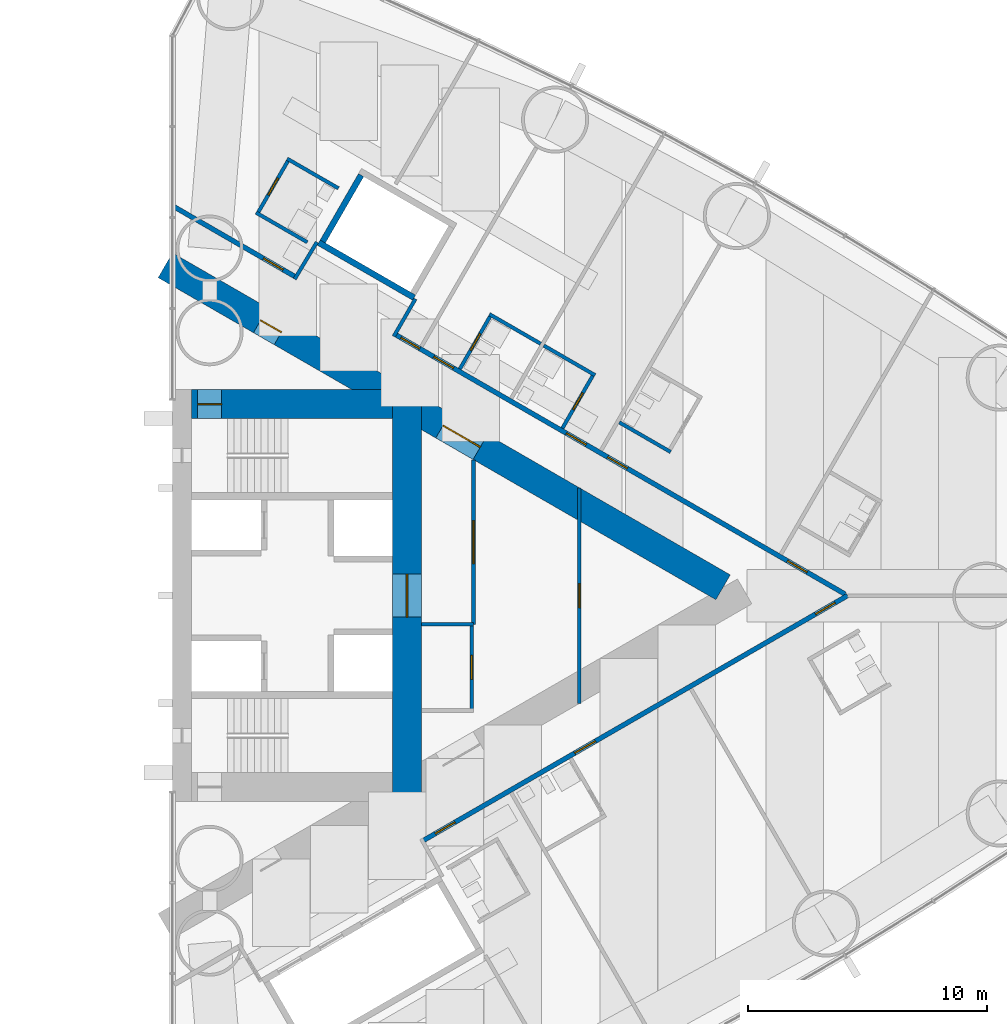
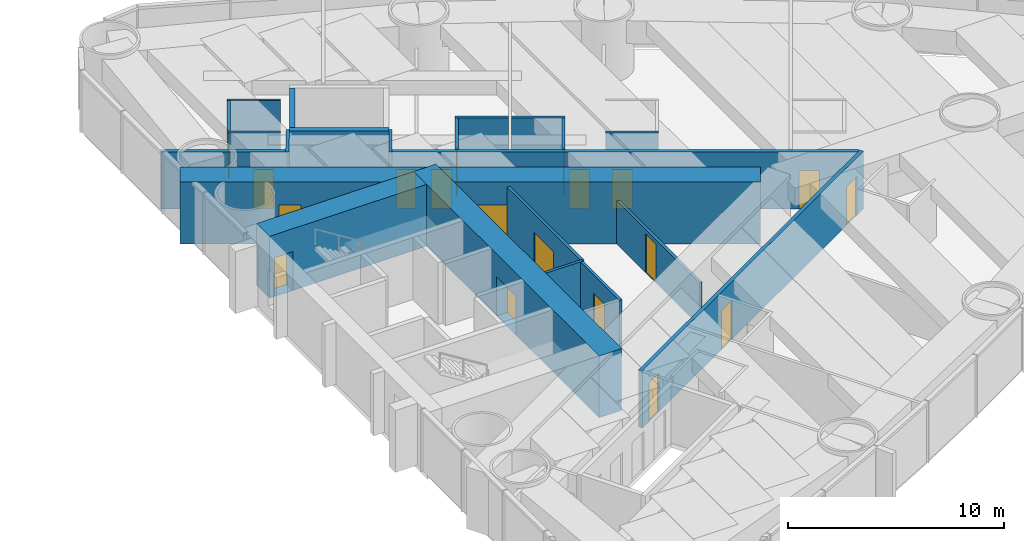
# One storey, part 14 of 18: 22 walls, 19 doors, 19 openings.
"""IFC4 building model written with IfcOpenShell, lengths in metres."""

import ifcopenshell
import ifcopenshell.guid

model = None  # the IFC model being written
_history = None  # IfcOwnerHistory: only IFC2X3 demands one
_inside = {}  # id of a spatial element -> (the spatial element, [elements in it])
_under = {}  # id of a project, library or spatial element -> (it, [spatial elements below it])
_declared = {}  # id of a project -> (the project, [libraries it declares])
_typed = {}  # id of a type object -> (the type object, [elements of that type])
_made_of = {}  # id of a material, layer set ... -> (it, [elements and type objects made of it])


def new_model(schema):
    """Start an empty IFC model of exactly this schema.

    Asked for "IFC4X3", IfcOpenShell would pick the latest addendum, in which some entities
    have other attributes; the version numbers below select the first issue.
    IFC2X3 requires an IfcOwnerHistory on every rooted entity: one is made here for all.
    """
    global model, _history
    if schema == "IFC4X3":
        model = ifcopenshell.file(schema_version=(4, 3, 0, 0))
    else:
        model = ifcopenshell.file(schema=schema)
    _inside.clear()
    _under.clear()
    _declared.clear()
    _typed.clear()
    _made_of.clear()
    _history = None
    if model.schema == "IFC2X3":
        org = make("IfcOrganization", Name="unknown")
        user = make(
            "IfcPersonAndOrganization",
            ThePerson=make("IfcPerson", FamilyName="unknown"),
            TheOrganization=org,
        )
        app = make(
            "IfcApplication",
            ApplicationDeveloper=org,
            Version="unknown",
            ApplicationFullName="unknown",
            ApplicationIdentifier="unknown",
        )
        _history = make(
            "IfcOwnerHistory",
            OwningUser=user,
            OwningApplication=app,
            ChangeAction="ADDED",
            CreationDate=0,
        )
    return model


def make(cls, **values):
    """One entity of the class cls with the attributes given. An attribute that is None is left unset."""
    return model.create_entity(
        cls, **{name: value for name, value in values.items() if value is not None}
    )


def rooted(cls, **values):
    """An entity with a GlobalId (a new one), such as an element, a storey or a relation."""
    return make(cls, GlobalId=ifcopenshell.guid.new(), OwnerHistory=_history, **values)


def si_unit(unit_type, name, prefix=None):
    """IfcSIUnit, for example si_unit("LENGTHUNIT", "METRE", prefix="MILLI")."""
    return make("IfcSIUnit", UnitType=unit_type, Prefix=prefix, Name=name)


def assignment(units):
    """IfcUnitAssignment: the units of a project."""
    return None if units is None else make("IfcUnitAssignment", Units=units)


def point(xyz):
    """IfcCartesianPoint."""
    return None if xyz is None else make("IfcCartesianPoint", Coordinates=xyz)


def direction(xyz):
    """IfcDirection."""
    return None if xyz is None else make("IfcDirection", DirectionRatios=xyz)


def frame(location, z_axis=None, x_axis=None):
    """IfcAxis2Placement3D, a coordinate frame: its origin and axes. An axis left out is left unset."""
    return make(
        "IfcAxis2Placement3D",
        Location=point(location),
        Axis=direction(z_axis),
        RefDirection=direction(x_axis),
    )


def frame_2d(location, x_axis=None):
    """IfcAxis2Placement2D, a coordinate frame in the plane: its origin and x axis."""
    return make(
        "IfcAxis2Placement2D", Location=point(location), RefDirection=direction(x_axis)
    )


def origin():
    """The frame at (0, 0, 0) with its axes left unset."""
    return frame((0.0, 0.0, 0.0))


def place(relative_to, where):
    """IfcLocalPlacement: puts the frame where relative to a parent placement (None: the world)."""
    return make(
        "IfcLocalPlacement", PlacementRelTo=relative_to, RelativePlacement=where
    )


def context(
    kind, dimensions, precision=None, world=None, true_north=None, identifier=None
):
    """IfcGeometricRepresentationContext, for example the 3D "Model" context."""
    return make(
        "IfcGeometricRepresentationContext",
        ContextIdentifier=identifier,
        ContextType=kind,
        CoordinateSpaceDimension=dimensions,
        Precision=precision,
        WorldCoordinateSystem=world,
        TrueNorth=true_north,
    )


def subcontext(parent, identifier, kind, view, scale=None):
    """IfcGeometricRepresentationSubContext, for example "Body" below "Model"."""
    return make(
        "IfcGeometricRepresentationSubContext",
        ContextIdentifier=identifier,
        ContextType=kind,
        ParentContext=parent,
        TargetScale=scale,
        TargetView=view,
    )


def project(units=None, contexts=None):
    """IfcProject with its units and contexts."""
    return rooted(
        "IfcProject",
        Name="project",
        RepresentationContexts=contexts,
        UnitsInContext=assignment(units),
    )


def spatial(cls, under=None, at=None, **own):
    """A site, building, storey or space (cls), placed at a placement, below another one or the project."""
    s = rooted(cls, ObjectPlacement=at, **own)
    if under is not None:
        _under.setdefault(under.id(), (under, []))[1].append(s)
    return s


def profile(cls, at=None, kind="AREA", **sizes):
    """A parametric profile (cls). Its sizes go by their IFC names, for example OverallWidth=200.0."""
    return make(cls, ProfileType=kind, Position=at, **sizes)


def rectangle(**sizes):
    """IfcRectangleProfileDef."""
    return profile("IfcRectangleProfileDef", **sizes)


def extrude(swept, where, along, depth):
    """IfcExtrudedAreaSolid: the profile swept, set in the frame where, extruded along a direction by depth."""
    return make(
        "IfcExtrudedAreaSolid",
        SweptArea=swept,
        Position=where,
        ExtrudedDirection=direction(along),
        Depth=depth,
    )


def shape(context_of_items, identifier, shape_type, items):
    """IfcShapeRepresentation: the items that make up one representation, for example the "Body"."""
    return make(
        "IfcShapeRepresentation",
        ContextOfItems=context_of_items,
        RepresentationIdentifier=identifier,
        RepresentationType=shape_type,
        Items=items,
    )


def material(Name=None, Category=None):
    """IfcMaterial."""
    return make("IfcMaterial", Name=Name, Category=Category)


def layer(
    of_material, thickness, ventilated=None, Name=None, Category=None, Priority=None
):
    """IfcMaterialLayer: one layer of a wall or slab, of a material (None: an air gap)."""
    return make(
        "IfcMaterialLayer",
        Material=of_material,
        LayerThickness=thickness,
        IsVentilated=ventilated,
        Name=Name,
        Category=Category,
        Priority=Priority,
    )


def layer_set(layers, Name=None):
    """IfcMaterialLayerSet."""
    return make("IfcMaterialLayerSet", MaterialLayers=layers, LayerSetName=Name)


def made_of(thing, what):
    """Note that an element or type object is made of a material, layer set ...; save() writes the relation."""
    if what is not None:
        _made_of.setdefault(what.id(), (what, []))[1].append(thing)
    return thing


def type_object(cls, material=None, **own):
    """A type object (cls), such as IfcWallType, which elements share."""
    return made_of(rooted(cls, **own), material)


def element(
    cls,
    number,
    at=None,
    inside=None,
    cuts=None,
    type_object=None,
    material=None,
    context=None,
    identifier="Body",
    shape_type=None,
    held_by="IfcProductDefinitionShape",
    body=None,
    shapes=None,
    **own,
):
    """One element of the class cls, such as IfcWall. Its Tag is "e" and its number.

    at: its placement. inside: the storey or other place that contains it. cuts: it is an
    opening in that element (IfcRelVoidsElement). A single representation is given by context,
    identifier, shape_type and body (its items); several are given by shapes. held_by: the class
    of the entity that holds the representations. save() writes the other relations.
    """
    e = rooted(cls, Tag="e%d" % number, ObjectPlacement=at, **own)
    if body is not None:
        shapes = [shape(context, identifier, shape_type, body)]
    if shapes is not None:
        e.Representation = make(held_by, Representations=shapes)
    if inside is not None:
        _inside.setdefault(inside.id(), (inside, []))[1].append(e)
    if cuts is not None:
        rooted(
            "IfcRelVoidsElement", RelatingBuildingElement=cuts, RelatedOpeningElement=e
        )
    if type_object is not None:
        _typed.setdefault(type_object.id(), (type_object, []))[1].append(e)
    return made_of(e, material)


def fill(opening, filler):
    """IfcRelFillsElement: the door or window that sits in an opening."""
    return rooted(
        "IfcRelFillsElement",
        RelatingOpeningElement=opening,
        RelatedBuildingElement=filler,
    )


def aggregate(whole, parts):
    """IfcRelAggregates: a whole, such as a stair, and the parts it consists of."""
    return rooted("IfcRelAggregates", RelatingObject=whole, RelatedObjects=parts)


def save(model, path):
    """Write the relations noted so far, then the file.

    IfcRelAggregates (storeys below a building ...), IfcRelContainedInSpatialStructure (elements
    in a storey), IfcRelDefinesByType, IfcRelAssociatesMaterial and IfcRelDeclares: one each for
    every whole, place, type object, material and project.
    """
    for whole, parts in _under.values():
        aggregate(whole, parts)
    for where, things in _inside.values():
        rooted(
            "IfcRelContainedInSpatialStructure",
            RelatedElements=things,
            RelatingStructure=where,
        )
    for kind, things in _typed.values():
        rooted("IfcRelDefinesByType", RelatedObjects=things, RelatingType=kind)
    for what, things in _made_of.values():
        rooted("IfcRelAssociatesMaterial", RelatedObjects=things, RelatingMaterial=what)
    for by, libraries in _declared.values():
        rooted("IfcRelDeclares", RelatingContext=by, RelatedDefinitions=libraries)
    model.write(path)


model = new_model("IFC4")

# Units and contexts
model_context = context("Model", 3, precision=1e-05, world=origin(), true_north=direction((0.0, 1.0)))
body_context = subcontext(model_context, "Body", "Model", "MODEL_VIEW")
ifc_project = project(units=[si_unit("LENGTHUNIT", "METRE"), si_unit("AREAUNIT", "SQUARE_METRE"), si_unit("VOLUMEUNIT", "CUBIC_METRE"), si_unit("PLANEANGLEUNIT", "RADIAN"), si_unit("MASSUNIT", "GRAM", prefix="KILO")], contexts=[model_context])

# Site, building, storey
site_placement = place(None, origin())
site = spatial("IfcSite", under=ifc_project, at=site_placement, CompositionType="ELEMENT")
building_placement = place(site_placement, origin())
building = spatial("IfcBuilding", under=site, at=building_placement, Name="Lancet Gate Hotel", CompositionType="ELEMENT")
storey_placement = place(building_placement, frame((0.0, 0.0, 46.0)))
storey = spatial("IfcBuildingStorey", under=building, at=storey_placement, Name="L11", CompositionType="ELEMENT", Elevation=46.0)

# Walls
ifc_material_1 = material(Name="Moisture resistant board partition")
ifc_layer_1 = layer(ifc_material_1, 0.14990234375)
ifc_layer_set_1 = layer_set([ifc_layer_1], Name="Bathroom wall 150")
wall_type_1 = type_object("IfcWallType", Name="Bathroom wall 150", PredefinedType="PARTITIONING", material=ifc_layer_set_1)
wall_1_placement = place(storey_placement, frame((46.16796875, 7.23681640625, 0.0), z_axis=(0.0, 0.0, 1.0), x_axis=(0.866006523861, -0.500032699561, 0.0)))
element("IfcWall", 1, at=wall_1_placement, inside=storey, type_object=wall_type_1, Name="T2 bathroom wall 150 L11", PredefinedType="PARTITIONING", context=body_context, shape_type="SweptSolid", body=[
    extrude(rectangle(XDim=2.474853515625, YDim=0.14990234375, at=frame_2d((1.2373046875, 0.0))), origin(), (0.0, 0.0, 1.0), 3.25),
])
wall_2_placement = place(storey_placement, frame((43.01220703125, 10.4443359375, 0.0), z_axis=(0.0, 0.0, 1.0), x_axis=(0.866031185235, -0.4999899861, 0.0)))
element("IfcWall", 2, at=wall_2_placement, inside=storey, type_object=wall_type_1, Name="T2 bathroom wall 150 L11", PredefinedType="PARTITIONING", context=body_context, shape_type="SweptSolid", body=[
    extrude(rectangle(XDim=2.47509765625, YDim=0.14990234375, at=frame_2d((1.237548828125, 0.0))), origin(), (0.0, 0.0, 1.0), 3.25),
])

# Wall, opening, door
wall_3_placement = place(storey_placement, frame((43.790771484375, 6.99267578125, 0.0), z_axis=(0.0, 0.0, 1.0), x_axis=(0.500047596559, 0.865997922154, 0.0)))
wall_3 = element("IfcWall", 3, at=wall_3_placement, inside=storey, type_object=wall_type_1, Name="T2 bathroom wall 150 L11", PredefinedType="PARTITIONING", context=body_context, shape_type="SweptSolid", body=[
    extrude(rectangle(XDim=2.599853515625, YDim=0.14990234375, at=frame_2d((1.2998046875, 0.0))), origin(), (0.0, 0.0, 1.0), 3.25),
])
opening_1_placement = place(wall_3_placement, frame((0.89990234375, 0.0, 0.0)))
opening_1 = element("IfcOpeningElement", 4, at=opening_1_placement, cuts=wall_3, Name="Opening 1161-B", PredefinedType="OPENING", context=body_context, shape_type="SweptSolid", body=[
    extrude(rectangle(XDim=0.800048828125, YDim=2.199951171875, at=frame_2d((0.39990234375, 1.10009765625))), frame((0.0, 0.0849609375, 0.0), z_axis=(0.0, -1.0, 0.0), x_axis=(1.0, 0.0, 0.0)), (0.0, 0.0, 1.0), 0.169921875),
])
ifc_material_2 = material(Name="Timber door set", Category="wood")
door_type_1 = type_object("IfcDoorType", Name="Bathroom door 800", OperationType="SINGLE_SWING_RIGHT", PredefinedType="DOOR", material=ifc_material_2)
door_1_placement = place(opening_1_placement, origin())
door_1 = element("IfcDoor", 5, at=door_1_placement, inside=storey, type_object=door_type_1, Name="1161-B", OperationType="SINGLE_SWING_RIGHT", OverallHeight=2.199951171875, OverallWidth=0.800048828125, PredefinedType="DOOR", context=body_context, shape_type="SweptSolid", body=[
    extrude(rectangle(XDim=0.800048828125, YDim=2.199951171875, at=frame_2d((0.39990234375, 1.10009765625))), frame((0.0, 0.02490234375, 0.0), z_axis=(0.0, -1.0, 0.0), x_axis=(1.0, 0.0, 0.0)), (0.0, 0.0, 1.0), 0.050048828125),
])
fill(opening_1, door_1)

# Wall
wall_4_placement = place(storey_placement, frame((40.739013671875, 11.7568359375, 0.0), z_axis=(0.0, 0.0, 1.0), x_axis=(0.866006523861, -0.500032699561, 0.0)))
element("IfcWall", 6, at=wall_4_placement, inside=storey, type_object=wall_type_1, Name="T2 bathroom wall 150 L11", PredefinedType="PARTITIONING", context=body_context, shape_type="SweptSolid", body=[
    extrude(rectangle(XDim=2.474853515625, YDim=0.14990234375, at=frame_2d((1.2373046875, 0.0))), origin(), (0.0, 0.0, 1.0), 3.25),
])

# Wall, opening, door
wall_5_placement = place(storey_placement, frame((39.50390625, 9.467529296875, 0.0), z_axis=(0.0, 0.0, 1.0), x_axis=(0.500006934395, 0.866021400173, 0.0)))
wall_5 = element("IfcWall", 7, at=wall_5_placement, inside=storey, type_object=wall_type_1, Name="T2 bathroom wall 150 L11", PredefinedType="PARTITIONING", context=body_context, shape_type="SweptSolid", body=[
    extrude(rectangle(XDim=2.60009765625, YDim=0.14990234375, at=frame_2d((1.300048828125, 0.0))), origin(), (0.0, 0.0, 1.0), 3.25),
])
opening_2_placement = place(wall_5_placement, frame((0.89990234375, 0.0, 0.0)))
opening_2 = element("IfcOpeningElement", 8, at=opening_2_placement, cuts=wall_5, Name="Opening 1162-B", PredefinedType="OPENING", context=body_context, shape_type="SweptSolid", body=[
    extrude(rectangle(XDim=0.800048828125, YDim=2.199951171875, at=frame_2d((0.39990234375, 1.10009765625))), frame((0.0, 0.0849609375, 0.0), z_axis=(0.0, -1.0, 0.0), x_axis=(1.0, 0.0, 0.0)), (0.0, 0.0, 1.0), 0.169921875),
])
door_2_placement = place(opening_2_placement, origin())
door_2 = element("IfcDoor", 9, at=door_2_placement, inside=storey, type_object=door_type_1, Name="1162-B", OperationType="SINGLE_SWING_RIGHT", OverallHeight=2.199951171875, OverallWidth=0.800048828125, PredefinedType="DOOR", context=body_context, shape_type="SweptSolid", body=[
    extrude(rectangle(XDim=0.800048828125, YDim=2.199951171875, at=frame_2d((0.39990234375, 1.10009765625))), frame((0.0, 0.02490234375, 0.0), z_axis=(0.0, -1.0, 0.0), x_axis=(1.0, 0.0, 0.0)), (0.0, 0.0, 1.0), 0.050048828125),
])
fill(opening_2, door_2)

# Wall
wall_6_placement = place(storey_placement, frame((32.2890625, 18.251953125, 0.0), z_axis=(0.0, 0.0, 1.0), x_axis=(0.866006523861, -0.500032699561, 0.0)))
element("IfcWall", 10, at=wall_6_placement, inside=storey, type_object=wall_type_1, Name="T2 bathroom wall 150 L11", PredefinedType="PARTITIONING", context=body_context, shape_type="SweptSolid", body=[
    extrude(rectangle(XDim=2.474853515625, YDim=0.14990234375, at=frame_2d((1.2373046875, 0.0))), origin(), (0.0, 0.0, 1.0), 3.25),
])

# Wall, opening, door
wall_7_placement = place(storey_placement, frame((31.053955078125, 15.962646484375, 0.0), z_axis=(0.0, 0.0, 1.0), x_axis=(0.500006934395, 0.866021400173, 0.0)))
wall_7 = element("IfcWall", 11, at=wall_7_placement, inside=storey, type_object=wall_type_1, Name="T2 bathroom wall 150 L11", PredefinedType="PARTITIONING", context=body_context, shape_type="SweptSolid", body=[
    extrude(rectangle(XDim=2.60009765625, YDim=0.14990234375, at=frame_2d((1.300048828125, 0.0))), origin(), (0.0, 0.0, 1.0), 3.25),
])
opening_3_placement = place(wall_7_placement, frame((0.89990234375, 0.0, 0.0)))
opening_3 = element("IfcOpeningElement", 12, at=opening_3_placement, cuts=wall_7, Name="Opening 1164-B", PredefinedType="OPENING", context=body_context, shape_type="SweptSolid", body=[
    extrude(rectangle(XDim=0.800048828125, YDim=2.199951171875, at=frame_2d((0.39990234375, 1.10009765625))), frame((0.0, 0.0849609375, 0.0), z_axis=(0.0, -1.0, 0.0), x_axis=(1.0, 0.0, 0.0)), (0.0, 0.0, 1.0), 0.169921875),
])
door_3_placement = place(opening_3_placement, origin())
door_3 = element("IfcDoor", 13, at=door_3_placement, inside=storey, type_object=door_type_1, Name="1164-B", OperationType="SINGLE_SWING_RIGHT", OverallHeight=2.199951171875, OverallWidth=0.800048828125, PredefinedType="DOOR", context=body_context, shape_type="SweptSolid", body=[
    extrude(rectangle(XDim=0.800048828125, YDim=2.199951171875, at=frame_2d((0.39990234375, 1.10009765625))), frame((0.0, 0.02490234375, 0.0), z_axis=(0.0, -1.0, 0.0), x_axis=(1.0, 0.0, 0.0)), (0.0, 0.0, 1.0), 0.050048828125),
])
fill(opening_3, door_3)

# Wall
wall_8_placement = place(storey_placement, frame((30.989013671875, 16.000244140625, 0.0), z_axis=(0.0, 0.0, 1.0), x_axis=(0.866031185235, -0.4999899861, 0.0)))
element("IfcWall", 14, at=wall_8_placement, inside=storey, type_object=wall_type_1, Name="T2 bathroom wall 150 L11", PredefinedType="PARTITIONING", context=body_context, shape_type="SweptSolid", body=[
    extrude(rectangle(XDim=2.47509765625, YDim=0.14990234375, at=frame_2d((1.237548828125, 0.0))), origin(), (0.0, 0.0, 1.0), 3.25),
])

# Wall, openings, doors
ifc_material_3 = material(Name="Concrete C70/85", Category="concrete")
ifc_layer_2 = layer(ifc_material_3, 1.199951171875)
ifc_layer_set_2 = layer_set([ifc_layer_2], Name="Buttress wall 1200")
wall_type_2 = type_object("IfcWallType", Name="Buttress wall 1200", PredefinedType="SHEAR", material=ifc_layer_set_2)
wall_9_placement = place(storey_placement, frame((27.199951171875, 13.800048828125, 0.0), z_axis=(0.0, 0.0, 1.0), x_axis=(0.866024515034, -0.500001539357, 0.0)))
wall_9 = element("IfcWall", 15, at=wall_9_placement, inside=storey, type_object=wall_type_2, Name="T2 buttress wall N L11", PredefinedType="SHEAR", context=body_context, shape_type="SweptSolid", body=[
    extrude(rectangle(XDim=26.9072265625, YDim=1.199951171875, at=frame_2d((13.45361328125, 0.0))), origin(), (0.0, 0.0, 1.0), 3.5),
])
opening_4_placement = place(wall_9_placement, frame((4.60009765625, 0.0, 0.0)))
opening_4 = element("IfcOpeningElement", 16, at=opening_4_placement, cuts=wall_9, Name="Opening T2-L11-LN", PredefinedType="OPENING", context=body_context, shape_type="SweptSolid", body=[
    extrude(rectangle(XDim=1.0, YDim=2.199951171875, at=frame_2d((0.5, 1.10009765625))), frame((0.0, 0.60986328125, 0.0), z_axis=(0.0, -1.0, 0.0), x_axis=(1.0, 0.0, 0.0)), (0.0, 0.0, 1.0), 1.219970703125),
])
opening_5_placement = place(wall_9_placement, frame((13.39453125, 0.0, 0.0)))
opening_5 = element("IfcOpeningElement", 17, at=opening_5_placement, cuts=wall_9, Name="Opening T2-L11-LHN", PredefinedType="OPENING", context=body_context, shape_type="SweptSolid", body=[
    extrude(rectangle(XDim=1.800048828125, YDim=2.199951171875, at=frame_2d((0.89990234375, 1.10009765625))), frame((0.0, 0.60986328125, 0.0), z_axis=(0.0, -1.0, 0.0), x_axis=(1.0, 0.0, 0.0)), (0.0, 0.0, 1.0), 1.219970703125),
])
ifc_material_4 = material(Name="Timber door set", Category="wood")
door_type_2 = type_object("IfcDoorType", Name="Lobby double door 1800", OperationType="DOUBLE_DOOR_SINGLE_SWING", PredefinedType="DOOR", material=ifc_material_4)
door_4_placement = place(opening_5_placement, origin())
door_4 = element("IfcDoor", 18, at=door_4_placement, inside=storey, type_object=door_type_2, Name="T2-L11-LHN", OperationType="DOUBLE_DOOR_SINGLE_SWING", OverallHeight=2.199951171875, OverallWidth=1.800048828125, PredefinedType="DOOR", context=body_context, shape_type="SweptSolid", body=[
    extrude(rectangle(XDim=1.800048828125, YDim=2.199951171875, at=frame_2d((0.89990234375, 1.10009765625))), frame((0.0, 0.02490234375, 0.0), z_axis=(0.0, -1.0, 0.0), x_axis=(1.0, 0.0, 0.0)), (0.0, 0.0, 1.0), 0.050048828125),
])
fill(opening_5, door_4)
ifc_material_5 = material(Name="Timber door set", Category="wood")
door_type_3 = type_object("IfcDoorType", Name="Stair lobby door 1000", OperationType="SINGLE_SWING_LEFT", PredefinedType="DOOR", material=ifc_material_5)
door_5_placement = place(opening_4_placement, origin())
door_5 = element("IfcDoor", 19, at=door_5_placement, inside=storey, type_object=door_type_3, Name="T2-L11-LN", OperationType="SINGLE_SWING_LEFT", OverallHeight=2.199951171875, OverallWidth=1.0, PredefinedType="DOOR", context=body_context, shape_type="SweptSolid", body=[
    extrude(rectangle(XDim=1.0, YDim=2.199951171875, at=frame_2d((0.5, 1.10009765625))), frame((0.0, 0.02490234375, 0.0), z_axis=(0.0, -1.0, 0.0), x_axis=(1.0, 0.0, 0.0)), (0.0, 0.0, 1.0), 0.050048828125),
])
fill(opening_4, door_5)

# Wall, opening, door
ifc_material_6 = material(Name="Concrete C70/85", Category="concrete")
ifc_layer_3 = layer(ifc_material_6, 1.199951171875)
ifc_layer_set_3 = layer_set([ifc_layer_3], Name="Core wall 1200")
wall_type_3 = type_object("IfcWallType", Name="Core wall 1200", PredefinedType="SHEAR", material=ifc_layer_set_3)
wall_10_placement = place(storey_placement, frame((37.300048828125, -8.60009765625, 0.0), z_axis=(0.0, 0.0, 1.0), x_axis=(0.0, 1.0, 0.0)))
wall_10 = element("IfcWall", 20, at=wall_10_placement, inside=storey, type_object=wall_type_3, Name="T2 core wall back L11", PredefinedType="SHEAR", context=body_context, shape_type="SweptSolid", body=[
    extrude(rectangle(XDim=17.2001953125, YDim=1.199951171875, at=frame_2d((8.60009765625, 0.0))), origin(), (0.0, 0.0, 1.0), 3.5),
])
opening_6_placement = place(wall_10_placement, frame((7.699951171875, 0.0, 0.0)))
opening_6 = element("IfcOpeningElement", 21, at=opening_6_placement, cuts=wall_10, Name="Opening T2-L11-LL", PredefinedType="OPENING", context=body_context, shape_type="SweptSolid", body=[
    extrude(rectangle(XDim=1.800048828125, YDim=2.199951171875, at=frame_2d((0.89990234375, 1.10009765625))), frame((0.0, 0.60986328125, 0.0), z_axis=(0.0, -1.0, 0.0), x_axis=(1.0, 0.0, 0.0)), (0.0, 0.0, 1.0), 1.219970703125),
])
door_6_placement = place(opening_6_placement, origin())
door_6 = element("IfcDoor", 22, at=door_6_placement, inside=storey, type_object=door_type_2, Name="T2-L11-LL", OperationType="DOUBLE_DOOR_SINGLE_SWING", OverallHeight=2.199951171875, OverallWidth=1.800048828125, PredefinedType="DOOR", context=body_context, shape_type="SweptSolid", body=[
    extrude(rectangle(XDim=1.800048828125, YDim=2.199951171875, at=frame_2d((0.89990234375, 1.10009765625))), frame((0.0, 0.02490234375, 0.0), z_axis=(0.0, -1.0, 0.0), x_axis=(1.0, 0.0, 0.0)), (0.0, 0.0, 1.0), 0.050048828125),
])
fill(opening_6, door_6)

wall_11_placement = place(storey_placement, frame((28.300048828125, 8.0, 0.0), z_axis=(0.0, 0.0, 1.0), x_axis=(1.0, 0.0, 0.0)))
wall_11 = element("IfcWall", 23, at=wall_11_placement, inside=storey, type_object=wall_type_3, Name="T2 core wall side-N L11", PredefinedType="SHEAR", context=body_context, shape_type="SweptSolid", body=[
    extrude(rectangle(XDim=8.39990234375, YDim=1.199951171875, at=frame_2d((4.199951171875, 0.0))), origin(), (0.0, 0.0, 1.0), 3.5),
])
opening_7_placement = place(wall_11_placement, frame((0.25, 0.0, 0.0)))
opening_7 = element("IfcOpeningElement", 24, at=opening_7_placement, cuts=wall_11, Name="Opening T2-L11-ST2", PredefinedType="OPENING", context=body_context, shape_type="SweptSolid", body=[
    extrude(rectangle(XDim=1.0, YDim=2.199951171875, at=frame_2d((0.5, 1.10009765625))), frame((0.0, 0.60986328125, 0.0), z_axis=(0.0, -1.0, 0.0), x_axis=(1.0, 0.0, 0.0)), (0.0, 0.0, 1.0), 1.219970703125),
])
ifc_material_7 = material(Name="Timber door set", Category="wood")
door_type_4 = type_object("IfcDoorType", Name="Stair door 1000", OperationType="SINGLE_SWING_RIGHT", PredefinedType="DOOR", material=ifc_material_7)
door_7_placement = place(opening_7_placement, origin())
door_7 = element("IfcDoor", 25, at=door_7_placement, inside=storey, type_object=door_type_4, Name="T2-L11-ST2", OperationType="SINGLE_SWING_RIGHT", OverallHeight=2.199951171875, OverallWidth=1.0, PredefinedType="DOOR", context=body_context, shape_type="SweptSolid", body=[
    extrude(rectangle(XDim=1.0, YDim=2.199951171875, at=frame_2d((0.5, 1.10009765625))), frame((0.0, 0.02490234375, 0.0), z_axis=(0.0, -1.0, 0.0), x_axis=(1.0, 0.0, 0.0)), (0.0, 0.0, 1.0), 0.050048828125),
])
fill(opening_7, door_7)

# Wall, openings, doors
ifc_material_8 = material(Name="Gypsum board partition")
ifc_layer_4 = layer(ifc_material_8, 0.199951171875)
ifc_layer_set_4 = layer_set([ifc_layer_4], Name="Corridor wall 200")
wall_type_4 = type_object("IfcWallType", Name="Corridor wall 200", PredefinedType="PARTITIONING", material=ifc_layer_set_4)
wall_12_placement = place(storey_placement, frame((37.9599609375, -10.243408203125, 0.0), z_axis=(0.0, 0.0, 1.0), x_axis=(0.866026429433, 0.499998223521, 0.0)))
wall_12 = element("IfcWall", 26, at=wall_12_placement, inside=storey, type_object=wall_type_4, Name="T2 corridor wall 200 L11", PredefinedType="PARTITIONING", context=body_context, shape_type="SweptSolid", body=[
    extrude(rectangle(XDim=20.48681640625, YDim=0.199951171875, at=frame_2d((10.243408203125, 0.0))), origin(), (0.0, 0.0, 1.0), 3.25),
])
opening_8_placement = place(wall_12_placement, frame((7.324951171875, 0.0, 0.0)))
opening_8 = element("IfcOpeningElement", 27, at=opening_8_placement, cuts=wall_12, Name="Opening 1154-E", PredefinedType="OPENING", context=body_context, shape_type="SweptSolid", body=[
    extrude(rectangle(XDim=1.0, YDim=2.199951171875, at=frame_2d((0.5, 1.10009765625))), frame((0.0, 0.10986328125, 0.0), z_axis=(0.0, -1.0, 0.0), x_axis=(1.0, 0.0, 0.0)), (0.0, 0.0, 1.0), 0.219970703125),
])
opening_9_placement = place(wall_12_placement, frame((18.93701171875, 0.0, 0.0)))
opening_9 = element("IfcOpeningElement", 28, at=opening_9_placement, cuts=wall_12, Name="Opening 1156-E", PredefinedType="OPENING", context=body_context, shape_type="SweptSolid", body=[
    extrude(rectangle(XDim=0.949951171875, YDim=2.199951171875, at=frame_2d((0.47509765625, 1.10009765625))), frame((0.0, 0.10986328125, 0.0), z_axis=(0.0, -1.0, 0.0), x_axis=(1.0, 0.0, 0.0)), (0.0, 0.0, 1.0), 0.219970703125),
])
opening_10_placement = place(wall_12_placement, frame((0.60009765625, 0.0, 0.0)))
opening_10 = element("IfcOpeningElement", 29, at=opening_10_placement, cuts=wall_12, Name="Opening 1153-E", PredefinedType="OPENING", context=body_context, shape_type="SweptSolid", body=[
    extrude(rectangle(XDim=0.949951171875, YDim=2.199951171875, at=frame_2d((0.47509765625, 1.10009765625))), frame((0.0, 0.10986328125, 0.0), z_axis=(0.0, -1.0, 0.0), x_axis=(1.0, 0.0, 0.0)), (0.0, 0.0, 1.0), 0.219970703125),
])
ifc_material_9 = material(Name="Timber door set", Category="wood")
door_type_5 = type_object("IfcDoorType", Name="Accessible guest room door 1000", OperationType="SINGLE_SWING_LEFT", PredefinedType="DOOR", material=ifc_material_9)
door_8_placement = place(opening_8_placement, origin())
door_8 = element("IfcDoor", 30, at=door_8_placement, inside=storey, type_object=door_type_5, Name="1154-E", OperationType="SINGLE_SWING_LEFT", OverallHeight=2.199951171875, OverallWidth=1.0, PredefinedType="DOOR", context=body_context, shape_type="SweptSolid", body=[
    extrude(rectangle(XDim=1.0, YDim=2.199951171875, at=frame_2d((0.5, 1.10009765625))), frame((0.0, 0.02490234375, 0.0), z_axis=(0.0, -1.0, 0.0), x_axis=(1.0, 0.0, 0.0)), (0.0, 0.0, 1.0), 0.050048828125),
])
fill(opening_8, door_8)
ifc_material_10 = material(Name="Timber door set", Category="wood")
door_type_6 = type_object("IfcDoorType", Name="Guest room entry door 950", OperationType="SINGLE_SWING_LEFT", PredefinedType="DOOR", material=ifc_material_10)
door_9_placement = place(opening_9_placement, origin())
door_9 = element("IfcDoor", 31, at=door_9_placement, inside=storey, type_object=door_type_6, Name="1156-E", OperationType="SINGLE_SWING_LEFT", OverallHeight=2.199951171875, OverallWidth=0.949951171875, PredefinedType="DOOR", context=body_context, shape_type="SweptSolid", body=[
    extrude(rectangle(XDim=0.949951171875, YDim=2.199951171875, at=frame_2d((0.47509765625, 1.10009765625))), frame((0.0, 0.02490234375, 0.0), z_axis=(0.0, -1.0, 0.0), x_axis=(1.0, 0.0, 0.0)), (0.0, 0.0, 1.0), 0.050048828125),
])
fill(opening_9, door_9)
door_10_placement = place(opening_10_placement, origin())
door_10 = element("IfcDoor", 32, at=door_10_placement, inside=storey, type_object=door_type_6, Name="1153-E", OperationType="SINGLE_SWING_LEFT", OverallHeight=2.199951171875, OverallWidth=0.949951171875, PredefinedType="DOOR", context=body_context, shape_type="SweptSolid", body=[
    extrude(rectangle(XDim=0.949951171875, YDim=2.199951171875, at=frame_2d((0.47509765625, 1.10009765625))), frame((0.0, 0.02490234375, 0.0), z_axis=(0.0, -1.0, 0.0), x_axis=(1.0, 0.0, 0.0)), (0.0, 0.0, 1.0), 0.050048828125),
])
fill(opening_10, door_10)

# Wall, opening, door
wall_13_placement = place(storey_placement, frame((27.572021484375, 16.240966796875, 0.0), z_axis=(0.0, 0.0, 1.0), x_axis=(0.866032814021, -0.499987164874, 0.0)))
wall_13 = element("IfcWall", 33, at=wall_13_placement, inside=storey, type_object=wall_type_4, Name="T2 corridor wall 200 L11", PredefinedType="PARTITIONING", context=body_context, shape_type="SweptSolid", body=[
    extrude(rectangle(XDim=5.854736328125, YDim=0.199951171875, at=frame_2d((2.92724609375, 0.0))), origin(), (0.0, 0.0, 1.0), 3.25),
])
opening_11_placement = place(wall_13_placement, frame((4.3046875, 0.0, 0.0)))
opening_11 = element("IfcOpeningElement", 34, at=opening_11_placement, cuts=wall_13, Name="Opening 1164-E", PredefinedType="OPENING", context=body_context, shape_type="SweptSolid", body=[
    extrude(rectangle(XDim=0.949951171875, YDim=2.199951171875, at=frame_2d((0.47509765625, 1.10009765625))), frame((0.0, 0.10986328125, 0.0), z_axis=(0.0, -1.0, 0.0), x_axis=(1.0, 0.0, 0.0)), (0.0, 0.0, 1.0), 0.219970703125),
])
door_11_placement = place(opening_11_placement, origin())
door_11 = element("IfcDoor", 35, at=door_11_placement, inside=storey, type_object=door_type_6, Name="1164-E", OperationType="SINGLE_SWING_LEFT", OverallHeight=2.199951171875, OverallWidth=0.949951171875, PredefinedType="DOOR", context=body_context, shape_type="SweptSolid", body=[
    extrude(rectangle(XDim=0.949951171875, YDim=2.199951171875, at=frame_2d((0.47509765625, 1.10009765625))), frame((0.0, 0.02490234375, 0.0), z_axis=(0.0, -1.0, 0.0), x_axis=(1.0, 0.0, 0.0)), (0.0, 0.0, 1.0), 0.050048828125),
])
fill(opening_11, door_11)

# Wall, openings, doors
wall_14_placement = place(storey_placement, frame((36.833984375, 10.8935546875, 0.0), z_axis=(0.0, 0.0, 1.0), x_axis=(0.866028157229, -0.499995230863, 0.0)))
wall_14 = element("IfcWall", 36, at=wall_14_placement, inside=storey, type_object=wall_type_4, Name="T2 corridor wall 200 L11", PredefinedType="PARTITIONING", context=body_context, shape_type="SweptSolid", body=[
    extrude(rectangle(XDim=21.667236328125, YDim=0.199951171875, at=frame_2d((10.83349609375, 0.0))), origin(), (0.0, 0.0, 1.0), 3.25),
])
opening_12_placement = place(wall_14_placement, frame((18.885498046875, 0.0, 0.0)))
opening_12 = element("IfcOpeningElement", 37, at=opening_12_placement, cuts=wall_14, Name="Opening 1158-E", PredefinedType="OPENING", context=body_context, shape_type="SweptSolid", body=[
    extrude(rectangle(XDim=0.949951171875, YDim=2.199951171875, at=frame_2d((0.47509765625, 1.10009765625))), frame((0.0, 0.10986328125, 0.0), z_axis=(0.0, -1.0, 0.0), x_axis=(1.0, 0.0, 0.0)), (0.0, 0.0, 1.0), 0.219970703125),
])
opening_13_placement = place(wall_14_placement, frame((10.211669921875, 0.0, 0.0)))
opening_13 = element("IfcOpeningElement", 38, at=opening_13_placement, cuts=wall_14, Name="Opening 1159-E", PredefinedType="OPENING", context=body_context, shape_type="SweptSolid", body=[
    extrude(rectangle(XDim=0.949951171875, YDim=2.199951171875, at=frame_2d((0.47509765625, 1.10009765625))), frame((0.0, 0.10986328125, 0.0), z_axis=(0.0, -1.0, 0.0), x_axis=(1.0, 0.0, 0.0)), (0.0, 0.0, 1.0), 0.219970703125),
])
opening_14_placement = place(wall_14_placement, frame((8.22509765625, 0.0, 0.0)))
opening_14 = element("IfcOpeningElement", 39, at=opening_14_placement, cuts=wall_14, Name="Opening 1161-E", PredefinedType="OPENING", context=body_context, shape_type="SweptSolid", body=[
    extrude(rectangle(XDim=0.949951171875, YDim=2.199951171875, at=frame_2d((0.47509765625, 1.10009765625))), frame((0.0, 0.10986328125, 0.0), z_axis=(0.0, -1.0, 0.0), x_axis=(1.0, 0.0, 0.0)), (0.0, 0.0, 1.0), 0.219970703125),
])
opening_15_placement = place(wall_14_placement, frame((1.8251953125, 0.0, 0.0)))
opening_15 = element("IfcOpeningElement", 40, at=opening_15_placement, cuts=wall_14, Name="Opening 1162-E", PredefinedType="OPENING", context=body_context, shape_type="SweptSolid", body=[
    extrude(rectangle(XDim=0.949951171875, YDim=2.199951171875, at=frame_2d((0.47509765625, 1.10009765625))), frame((0.0, 0.10986328125, 0.0), z_axis=(0.0, -1.0, 0.0), x_axis=(1.0, 0.0, 0.0)), (0.0, 0.0, 1.0), 0.219970703125),
])
opening_16_placement = place(wall_14_placement, frame((0.246337890625, 0.0, 0.0)))
opening_16 = element("IfcOpeningElement", 41, at=opening_16_placement, cuts=wall_14, Name="Opening T2-L11-LO2", PredefinedType="OPENING", context=body_context, shape_type="SweptSolid", body=[
    extrude(rectangle(XDim=0.89990234375, YDim=2.199951171875, at=frame_2d((0.449951171875, 1.10009765625))), frame((0.0, 0.10986328125, 0.0), z_axis=(0.0, -1.0, 0.0), x_axis=(1.0, 0.0, 0.0)), (0.0, 0.0, 1.0), 0.219970703125),
])
door_12_placement = place(opening_12_placement, origin())
door_12 = element("IfcDoor", 42, at=door_12_placement, inside=storey, type_object=door_type_6, Name="1158-E", OperationType="SINGLE_SWING_LEFT", OverallHeight=2.199951171875, OverallWidth=0.949951171875, PredefinedType="DOOR", context=body_context, shape_type="SweptSolid", body=[
    extrude(rectangle(XDim=0.949951171875, YDim=2.199951171875, at=frame_2d((0.47509765625, 1.10009765625))), frame((0.0, 0.02490234375, 0.0), z_axis=(0.0, -1.0, 0.0), x_axis=(1.0, 0.0, 0.0)), (0.0, 0.0, 1.0), 0.050048828125),
])
fill(opening_12, door_12)
door_13_placement = place(opening_13_placement, origin())
door_13 = element("IfcDoor", 43, at=door_13_placement, inside=storey, type_object=door_type_6, Name="1159-E", OperationType="SINGLE_SWING_LEFT", OverallHeight=2.199951171875, OverallWidth=0.949951171875, PredefinedType="DOOR", context=body_context, shape_type="SweptSolid", body=[
    extrude(rectangle(XDim=0.949951171875, YDim=2.199951171875, at=frame_2d((0.47509765625, 1.10009765625))), frame((0.0, 0.02490234375, 0.0), z_axis=(0.0, -1.0, 0.0), x_axis=(1.0, 0.0, 0.0)), (0.0, 0.0, 1.0), 0.050048828125),
])
fill(opening_13, door_13)
door_14_placement = place(opening_14_placement, origin())
door_14 = element("IfcDoor", 44, at=door_14_placement, inside=storey, type_object=door_type_6, Name="1161-E", OperationType="SINGLE_SWING_LEFT", OverallHeight=2.199951171875, OverallWidth=0.949951171875, PredefinedType="DOOR", context=body_context, shape_type="SweptSolid", body=[
    extrude(rectangle(XDim=0.949951171875, YDim=2.199951171875, at=frame_2d((0.47509765625, 1.10009765625))), frame((0.0, 0.02490234375, 0.0), z_axis=(0.0, -1.0, 0.0), x_axis=(1.0, 0.0, 0.0)), (0.0, 0.0, 1.0), 0.050048828125),
])
fill(opening_14, door_14)
door_15_placement = place(opening_15_placement, origin())
door_15 = element("IfcDoor", 45, at=door_15_placement, inside=storey, type_object=door_type_6, Name="1162-E", OperationType="SINGLE_SWING_LEFT", OverallHeight=2.199951171875, OverallWidth=0.949951171875, PredefinedType="DOOR", context=body_context, shape_type="SweptSolid", body=[
    extrude(rectangle(XDim=0.949951171875, YDim=2.199951171875, at=frame_2d((0.47509765625, 1.10009765625))), frame((0.0, 0.02490234375, 0.0), z_axis=(0.0, -1.0, 0.0), x_axis=(1.0, 0.0, 0.0)), (0.0, 0.0, 1.0), 0.050048828125),
])
fill(opening_15, door_15)
door_16_placement = place(opening_16_placement, origin())
door_16 = element("IfcDoor", 46, at=door_16_placement, inside=storey, type_object=door_type_6, Name="T2-L11-LO2", OperationType="SINGLE_SWING_LEFT", OverallHeight=2.199951171875, OverallWidth=0.89990234375, PredefinedType="DOOR", context=body_context, shape_type="SweptSolid", body=[
    extrude(rectangle(XDim=0.89990234375, YDim=2.199951171875, at=frame_2d((0.449951171875, 1.10009765625))), frame((0.0, 0.02490234375, 0.0), z_axis=(0.0, -1.0, 0.0), x_axis=(1.0, 0.0, 0.0)), (0.0, 0.0, 1.0), 0.050048828125),
])
fill(opening_16, door_16)

# Walls
ifc_material_11 = material(Name="Gypsum board partition")
ifc_layer_5 = layer(ifc_material_11, 0.25)
ifc_layer_set_5 = layer_set([ifc_layer_5], Name="Lift shaft partition 250")
wall_type_5 = type_object("IfcWallType", Name="Lift shaft partition 250", PredefinedType="PARTITIONING", material=ifc_layer_set_5)
wall_15_placement = place(storey_placement, frame((33.6083984375, 14.747314453125, 0.0), z_axis=(0.0, 0.0, 1.0), x_axis=(0.866043305498, -0.49996899204, 0.0)))
element("IfcWall", 47, at=wall_15_placement, inside=storey, type_object=wall_type_5, Name="T2 lift shaft wall EX L11", PredefinedType="PARTITIONING", context=body_context, shape_type="SweptSolid", body=[
    extrude(rectangle(XDim=4.600341796875, YDim=0.25, at=frame_2d((2.30029296875, 0.0))), origin(), (0.0, 0.0, 1.0), 3.25),
])
wall_16_placement = place(storey_placement, frame((33.779296875, 14.79296875, 0.0), z_axis=(0.0, 0.0, 1.0), x_axis=(0.499929347863, 0.866066190972, 0.0)))
element("IfcWall", 48, at=wall_16_placement, inside=storey, type_object=wall_type_5, Name="T2 lift shaft wall EX L11", PredefinedType="PARTITIONING", context=body_context, shape_type="SweptSolid", body=[
    extrude(rectangle(XDim=3.20068359375, YDim=0.25, at=frame_2d((1.600341796875, 0.0))), origin(), (0.0, 0.0, 1.0), 3.25),
])
ifc_material_12 = material(Name="Gypsum board partition")
ifc_layer_6 = layer(ifc_material_12, 0.14990234375)
ifc_layer_set_6 = layer_set([ifc_layer_6], Name="Service room wall 150")
wall_type_6 = type_object("IfcWallType", Name="Service room wall 150", PredefinedType="PARTITIONING", material=ifc_layer_set_6)
for number, where, z_axis, x_axis, name in (
    (49, (33.533447265625, 14.767333984375, 0.0), (0.0, 0.0, 1.0), (-0.514296815006, -0.857612258585, 0.0), "T2 service room wall 150 L11"),
    (50, (36.7451171875, 10.829345703125, 0.0), (0.0, 0.0, 1.0), (0.499921502396, 0.866070719654, 0.0), "T2 service room wall 150 L11"),
):
    element("IfcWall", number, at=place(storey_placement, frame(where, z_axis=z_axis, x_axis=x_axis)), inside=storey, type_object=wall_type_6, Name=name, PredefinedType="PARTITIONING", context=body_context, shape_type="SweptSolid", body=[
        extrude(rectangle(XDim=1.804931640625, YDim=0.14990234375, at=frame_2d((0.90234375, 0.0))), origin(), (0.0, 0.0, 1.0), 3.25),
    ])
wall_17_placement = place(storey_placement, frame((37.89990234375, -1.199951171875, 0.0), z_axis=(0.0, 0.0, 1.0), x_axis=(1.0, 0.0, 0.0)))
element("IfcWall", 51, at=wall_17_placement, inside=storey, type_object=wall_type_6, Name="T2 service room wall 150 L11", PredefinedType="PARTITIONING", context=body_context, shape_type="SweptSolid", body=[
    extrude(rectangle(XDim=2.175048828125, YDim=0.14990234375, at=frame_2d((1.08740234375, 0.0))), origin(), (0.0, 0.0, 1.0), 3.25),
])

# Wall, opening, door
wall_18_placement = place(storey_placement, frame((40.0, -4.875, 0.0), z_axis=(0.0, 0.0, 1.0), x_axis=(0.0, 1.0, 0.0)))
wall_18 = element("IfcWall", 52, at=wall_18_placement, inside=storey, type_object=wall_type_6, Name="T2 service room wall 150 L11", PredefinedType="PARTITIONING", context=body_context, shape_type="SweptSolid", body=[
    extrude(rectangle(XDim=3.75, YDim=0.14990234375, at=frame_2d((1.875, 0.0))), origin(), (0.0, 0.0, 1.0), 3.25),
])
opening_17_placement = place(wall_18_placement, frame((1.375, 0.0, 0.0)))
opening_17 = element("IfcOpeningElement", 53, at=opening_17_placement, cuts=wall_18, Name="Opening T2-L11-HRS0", PredefinedType="OPENING", context=body_context, shape_type="SweptSolid", body=[
    extrude(rectangle(XDim=1.0, YDim=2.199951171875, at=frame_2d((0.5, 1.10009765625))), frame((0.0, 0.0849609375, 0.0), z_axis=(0.0, -1.0, 0.0), x_axis=(1.0, 0.0, 0.0)), (0.0, 0.0, 1.0), 0.169921875),
])
ifc_material_13 = material(Name="Timber door set", Category="wood")
door_type_7 = type_object("IfcDoorType", Name="Service door 1000", OperationType="SINGLE_SWING_LEFT", PredefinedType="DOOR", material=ifc_material_13)
door_17_placement = place(opening_17_placement, origin())
door_17 = element("IfcDoor", 54, at=door_17_placement, inside=storey, type_object=door_type_7, Name="T2-L11-HRS0", OperationType="SINGLE_SWING_LEFT", OverallHeight=2.199951171875, OverallWidth=1.0, PredefinedType="DOOR", context=body_context, shape_type="SweptSolid", body=[
    extrude(rectangle(XDim=1.0, YDim=2.199951171875, at=frame_2d((0.5, 1.10009765625))), frame((0.0, 0.02490234375, 0.0), z_axis=(0.0, -1.0, 0.0), x_axis=(1.0, 0.0, 0.0)), (0.0, 0.0, 1.0), 0.050048828125),
])
fill(opening_17, door_17)

wall_19_placement = place(storey_placement, frame((40.074951171875, -1.199951171875, 0.0), z_axis=(0.0, 0.0, 1.0), x_axis=(0.0, 1.0, 0.0)))
wall_19 = element("IfcWall", 55, at=wall_19_placement, inside=storey, type_object=wall_type_6, Name="T2 service room wall 150 L11", PredefinedType="PARTITIONING", context=body_context, shape_type="SweptSolid", body=[
    extrude(rectangle(XDim=6.873779296875, YDim=0.14990234375, at=frame_2d((3.43701171875, 0.0))), origin(), (0.0, 0.0, 1.0), 3.25),
])
opening_18_placement = place(wall_19_placement, frame((2.536865234375, 0.0, 0.0)))
opening_18 = element("IfcOpeningElement", 56, at=opening_18_placement, cuts=wall_19, Name="Opening T2-L11-LH", PredefinedType="OPENING", context=body_context, shape_type="SweptSolid", body=[
    extrude(rectangle(XDim=1.800048828125, YDim=2.199951171875, at=frame_2d((0.89990234375, 1.10009765625))), frame((0.0, 0.0849609375, 0.0), z_axis=(0.0, -1.0, 0.0), x_axis=(1.0, 0.0, 0.0)), (0.0, 0.0, 1.0), 0.169921875),
])
door_18_placement = place(opening_18_placement, origin())
door_18 = element("IfcDoor", 57, at=door_18_placement, inside=storey, type_object=door_type_2, Name="T2-L11-LH", OperationType="DOUBLE_DOOR_SINGLE_SWING", OverallHeight=2.199951171875, OverallWidth=1.800048828125, PredefinedType="DOOR", context=body_context, shape_type="SweptSolid", body=[
    extrude(rectangle(XDim=1.800048828125, YDim=2.199951171875, at=frame_2d((0.89990234375, 1.10009765625))), frame((0.0, 0.02490234375, 0.0), z_axis=(0.0, -1.0, 0.0), x_axis=(1.0, 0.0, 0.0)), (0.0, 0.0, 1.0), 0.050048828125),
])
fill(opening_18, door_18)

wall_20_placement = place(storey_placement, frame((44.5, -4.504638671875, 0.0), z_axis=(0.0, 0.0, 1.0), x_axis=(0.0, 1.0, 0.0)))
wall_20 = element("IfcWall", 58, at=wall_20_placement, inside=storey, type_object=wall_type_6, Name="T2 service room wall 150 L11", PredefinedType="PARTITIONING", context=body_context, shape_type="SweptSolid", body=[
    extrude(rectangle(XDim=9.00927734375, YDim=0.14990234375, at=frame_2d((4.504638671875, 0.0))), origin(), (0.0, 0.0, 1.0), 2.449951171875),
])
opening_19_placement = place(wall_20_placement, frame((4.004638671875, 0.0, 0.0)))
opening_19 = element("IfcOpeningElement", 59, at=opening_19_placement, cuts=wall_20, Name="Opening T2-L11-SV", PredefinedType="OPENING", context=body_context, shape_type="SweptSolid", body=[
    extrude(rectangle(XDim=1.0, YDim=2.199951171875, at=frame_2d((0.5, 1.10009765625))), frame((0.0, 0.0849609375, 0.0), z_axis=(0.0, -1.0, 0.0), x_axis=(1.0, 0.0, 0.0)), (0.0, 0.0, 1.0), 0.169921875),
])
door_19_placement = place(opening_19_placement, origin())
door_19 = element("IfcDoor", 60, at=door_19_placement, inside=storey, type_object=door_type_7, Name="T2-L11-SV", OperationType="SINGLE_SWING_LEFT", OverallHeight=2.199951171875, OverallWidth=1.0, PredefinedType="DOOR", context=body_context, shape_type="SweptSolid", body=[
    extrude(rectangle(XDim=1.0, YDim=2.199951171875, at=frame_2d((0.5, 1.10009765625))), frame((0.0, 0.02490234375, 0.0), z_axis=(0.0, -1.0, 0.0), x_axis=(1.0, 0.0, 0.0)), (0.0, 0.0, 1.0), 0.050048828125),
])
fill(opening_19, door_19)

save(model, "model.ifc")
